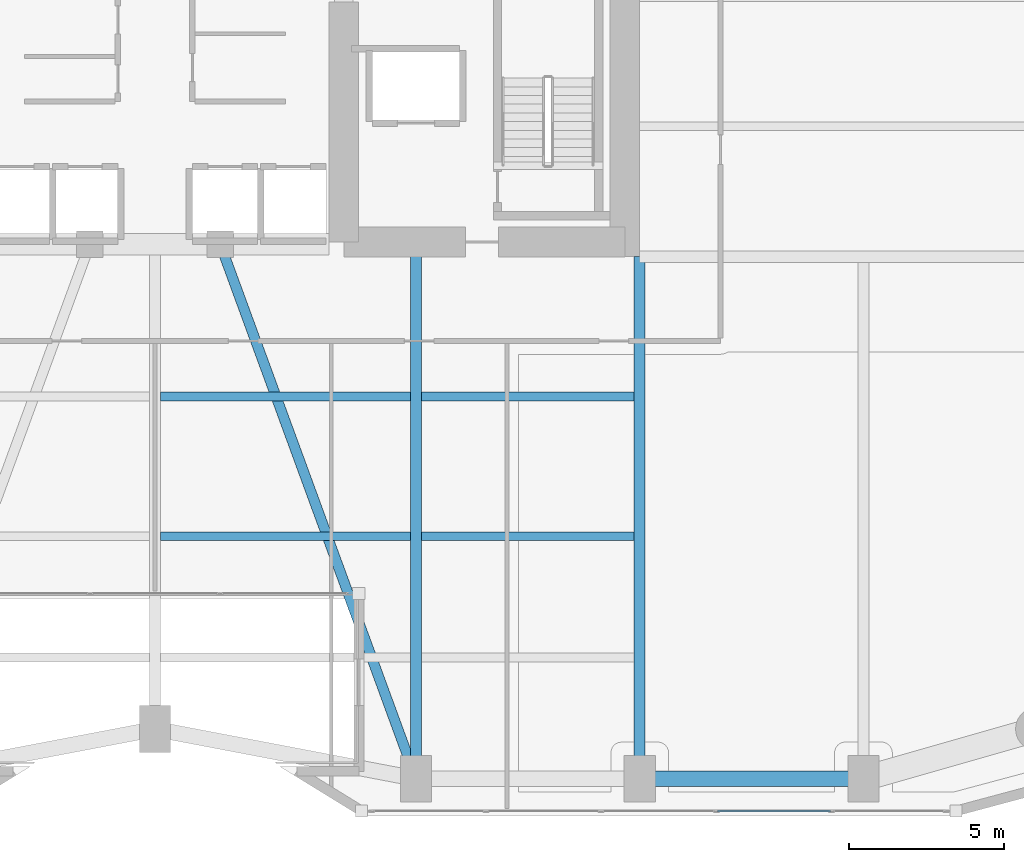
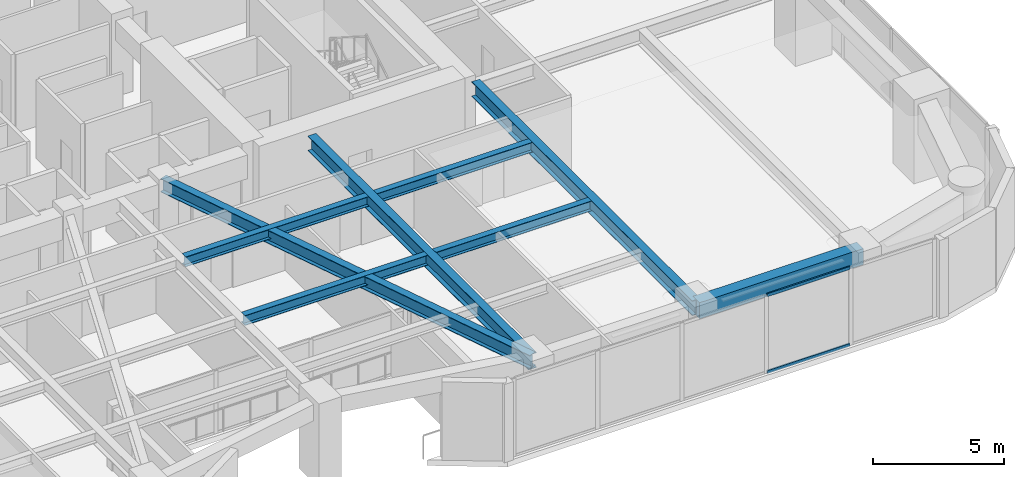
# One storey, part 6 of 26: 8 beams, 2 members, 1 element without a shape of its own.
"""IFC4 building model written with IfcOpenShell, lengths in metres."""

from ifc_helpers import new_model, si_unit, direction, frame, origin, origin_2d, place, context, subcontext, project, spatial, rectangle, hollow_rectangle, i_section, extrude, material, layer, layer_set, material_profile, profile_set, type_object, element, aggregate, save


model = new_model("IFC4")

# Units and contexts
model_context = context("Model", 3, precision=1e-05, world=origin(), true_north=direction((0.0, 1.0)))
body_context = subcontext(model_context, "Body", "Model", "MODEL_VIEW")
ifc_project = project(units=[si_unit("LENGTHUNIT", "METRE"), si_unit("AREAUNIT", "SQUARE_METRE"), si_unit("VOLUMEUNIT", "CUBIC_METRE"), si_unit("PLANEANGLEUNIT", "RADIAN"), si_unit("MASSUNIT", "GRAM", prefix="KILO")], contexts=[model_context])

# Site, building, storey
site_placement = place(None, origin())
site = spatial("IfcSite", under=ifc_project, at=site_placement, CompositionType="ELEMENT")
building_placement = place(site_placement, origin())
building = spatial("IfcBuilding", under=site, at=building_placement, Name="Kiyonajd Concourse Tower", CompositionType="ELEMENT")
storey_placement = place(building_placement, frame((0.0, 0.0, 72.89990234375)))
storey = spatial("IfcBuildingStorey", under=building, at=storey_placement, Name="L19", CompositionType="ELEMENT", Elevation=72.89990234375)

# Beams
ifc_material_1 = material(Name="Steel ASTM A992 Grade 50", Category="steel")
ifc_material_profile_1 = material_profile(ifc_material_1, i_section(OverallWidth=0.280029296875, OverallDepth=0.462890625, WebThickness=0.0107421875, FlangeThickness=0.017333984375, at=origin_2d()), Name="W460X113")
ifc_profile_set_1 = profile_set([ifc_material_profile_1], Name="Steel ASTM A992 Grade 50")
beam_type_1 = type_object("IfcBeamType", Name="BM-JST-460A", PredefinedType="JOIST", material=ifc_profile_set_1)
beam_1_placement = place(storey_placement, frame((48.177490234375, 18.60009765625, 3.40869140625), z_axis=(1.0, 0.0, 0.0), x_axis=(0.0, 1.0, 0.0)))
element("IfcBeam", 1, at=beam_1_placement, inside=storey, type_object=beam_type_1, Name="L19 Secondary Floor Joist", PredefinedType="JOIST", context=body_context, shape_type="SweptSolid", body=[
    extrude(i_section(OverallWidth=0.280029296875, OverallDepth=0.462890625, WebThickness=0.0107421875, FlangeThickness=0.017333984375, at=origin_2d()), origin(), (0.0, 0.0, 1.0), 8.044921875),
])
beam_2_placement = place(storey_placement, frame((56.577392578125, 18.60009765625, 3.40869140625), z_axis=(1.0, 0.0, 0.0), x_axis=(0.0, 1.0, 0.0)))
element("IfcBeam", 2, at=beam_2_placement, inside=storey, type_object=beam_type_1, Name="L19 Secondary Floor Joist", PredefinedType="JOIST", context=body_context, shape_type="SweptSolid", body=[
    extrude(i_section(OverallWidth=0.280029296875, OverallDepth=0.462890625, WebThickness=0.0107421875, FlangeThickness=0.017333984375, at=origin_2d()), origin(), (0.0, 0.0, 1.0), 6.84521484375),
])
beam_3_placement = place(storey_placement, frame((48.177490234375, 23.10009765625, 3.40869140625), z_axis=(1.0, 0.0, 0.0), x_axis=(0.0, 1.0, 0.0)))
element("IfcBeam", 3, at=beam_3_placement, inside=storey, type_object=beam_type_1, Name="L19 Secondary Floor Joist", PredefinedType="JOIST", context=body_context, shape_type="SweptSolid", body=[
    extrude(i_section(OverallWidth=0.280029296875, OverallDepth=0.462890625, WebThickness=0.0107421875, FlangeThickness=0.017333984375, at=origin_2d()), origin(), (0.0, 0.0, 1.0), 8.044921875),
])
beam_4_placement = place(storey_placement, frame((56.577392578125, 23.10009765625, 3.40869140625), z_axis=(1.0, 0.0, 0.0), x_axis=(0.0, 1.0, 0.0)))
element("IfcBeam", 4, at=beam_4_placement, inside=storey, type_object=beam_type_1, Name="L19 Secondary Floor Joist", PredefinedType="JOIST", context=body_context, shape_type="SweptSolid", body=[
    extrude(i_section(OverallWidth=0.280029296875, OverallDepth=0.462890625, WebThickness=0.0107421875, FlangeThickness=0.017333984375, at=origin_2d()), origin(), (0.0, 0.0, 1.0), 6.84521484375),
])
ifc_material_2 = material(Name="Precast concrete C50/60", Category="concrete")
ifc_material_profile_2 = material_profile(ifc_material_2, rectangle(XDim=0.5, YDim=0.75, at=origin_2d()), Name="RCBM-500x750")
ifc_profile_set_2 = profile_set([ifc_material_profile_2], Name="Precast concrete C50/60")
beam_type_2 = type_object("IfcBeamType", Name="BM-SPAN-RC", PredefinedType="SPANDREL", material=ifc_profile_set_2)
beam_5_placement = place(storey_placement, frame((63.60009765625, 10.800048828125, 3.26513671875), z_axis=(1.0, 0.0, 0.0), x_axis=(0.0, 1.0, 0.0)))
element("IfcBeam", 5, at=beam_5_placement, inside=storey, type_object=beam_type_2, Name="L19 Perimeter Bundled Tube Spandrel", PredefinedType="SPANDREL", context=body_context, shape_type="SweptSolid", body=[
    extrude(rectangle(XDim=0.5, YDim=0.75, at=origin_2d()), origin(), (0.0, 0.0, 1.0), 7.199951171875),
])
ifc_material_profile_3 = material_profile(ifc_material_1, i_section(OverallWidth=0.326904296875, OverallDepth=0.6220703125, WebThickness=0.015380859375, FlangeThickness=0.0244140625, at=origin_2d()), Name="W610X195")
ifc_profile_set_3 = profile_set([ifc_material_profile_3], Name="Steel ASTM A992 Grade 50")
beam_type_3 = type_object("IfcBeamType", Name="BM-TWR-610A", PredefinedType="BEAM", material=ifc_profile_set_3)
beam_6_placement = place(storey_placement, frame((50.10009765625, 28.0, 3.3291015625), z_axis=(0.343925269715, -0.938997022813, 0.0), x_axis=(0.938997022813, 0.343925269715, 0.0)))
element("IfcBeam", 6, at=beam_6_placement, inside=storey, type_object=beam_type_3, Name="L19 Core Tie Girder", PredefinedType="BEAM", context=body_context, shape_type="SweptSolid", body=[
    extrude(i_section(OverallWidth=0.326904296875, OverallDepth=0.6220703125, WebThickness=0.015380859375, FlangeThickness=0.0244140625, at=origin_2d()), origin(), (0.0, 0.0, 1.0), 18.3173828125),
])
ifc_material_profile_4 = material_profile(ifc_material_1, i_section(OverallWidth=0.35498046875, OverallDepth=0.695068359375, WebThickness=0.015380859375, FlangeThickness=0.02490234375, at=origin_2d()), Name="W690X217")
ifc_profile_set_4 = profile_set([ifc_material_profile_4], Name="Steel ASTM A992 Grade 50")
beam_type_4 = type_object("IfcBeamType", Name="BM-TWR-690", PredefinedType="BEAM", material=ifc_profile_set_4)
for number, where, z_axis, x_axis, name in (
    (7, (56.39990234375, 10.800048828125, 3.29248046875), (0.0, 1.0, 0.0), (-1.0, 0.0, 0.0), "L19 South Lease Girder"),
    (8, (63.60009765625, 10.800048828125, 3.29248046875), (0.0, 1.0, 0.0), (-1.0, 0.0, 0.0), "L19 South Lease Girder"),
):
    element("IfcBeam", number, at=place(storey_placement, frame(where, z_axis=z_axis, x_axis=x_axis)), inside=storey, type_object=beam_type_4, Name=name, PredefinedType="BEAM", context=body_context, shape_type="SweptSolid", body=[
        extrude(i_section(OverallWidth=0.35498046875, OverallDepth=0.695068359375, WebThickness=0.015380859375, FlangeThickness=0.02490234375, at=origin_2d()), origin(), (0.0, 0.0, 1.0), 16.800048828125),
    ])

# Curtain wall, members
ifc_material_3 = material(Name="Thermally Broken Anodised Aluminium", Category="aluminium")
ifc_layer = layer(ifc_material_3, 0.179931640625)
ifc_layer_set = layer_set([ifc_layer], Name="Thermally Broken Anodised Aluminium")
curtain_wall_type = type_object("IfcCurtainWallType", Name="CW-SYS-02", PredefinedType="NOTDEFINED", material=ifc_layer_set)
curtain_wall_placement = place(storey_placement, origin())
curtain_wall = element("IfcCurtainWall", 9, at=curtain_wall_placement, inside=storey, type_object=curtain_wall_type, Name="L19 Unitised Curtain Wall CW2", PredefinedType="NOTDEFINED")
ifc_material_profile_5 = material_profile(ifc_material_3, hollow_rectangle(XDim=0.06494140625, YDim=0.139892578125, WallThickness=0.00390625, at=origin_2d()), Name="TRAN-65x140")
ifc_profile_set_5 = profile_set([ifc_material_profile_5], Name="Thermally Broken Anodised Aluminium")
member_type = type_object("IfcMemberType", Name="MB-CW-TRAN1", PredefinedType="USERDEFINED", material=ifc_profile_set_5)
member_1_placement = place(storey_placement, frame((69.74560546875, 9.760009765625, 0.03271484375), z_axis=(-1.0, 0.0, 0.0), x_axis=(0.0, -1.0, 0.0)))
member_1 = element("IfcMember", 10, at=member_1_placement, type_object=member_type, Name="CW2 transom 2.1", ObjectType="TRANSOM", PredefinedType="USERDEFINED", context=body_context, shape_type="SweptSolid", body=[
    extrude(hollow_rectangle(XDim=0.06494140625, YDim=0.139892578125, WallThickness=0.00390625, at=origin_2d()), origin(), (0.0, 0.0, 1.0), 3.645751953125),
])
member_2_placement = place(storey_placement, frame((69.74560546875, 9.760009765625, 3.607666015625), z_axis=(-1.0, 0.0, 0.0), x_axis=(0.0, -1.0, 0.0)))
member_2 = element("IfcMember", 11, at=member_2_placement, type_object=member_type, Name="CW2 transom 2.2", ObjectType="TRANSOM", PredefinedType="USERDEFINED", context=body_context, shape_type="SweptSolid", body=[
    extrude(hollow_rectangle(XDim=0.06494140625, YDim=0.139892578125, WallThickness=0.00390625, at=origin_2d()), origin(), (0.0, 0.0, 1.0), 3.645751953125),
])
aggregate(curtain_wall, [member_1, member_2])

save(model, "model.ifc")
